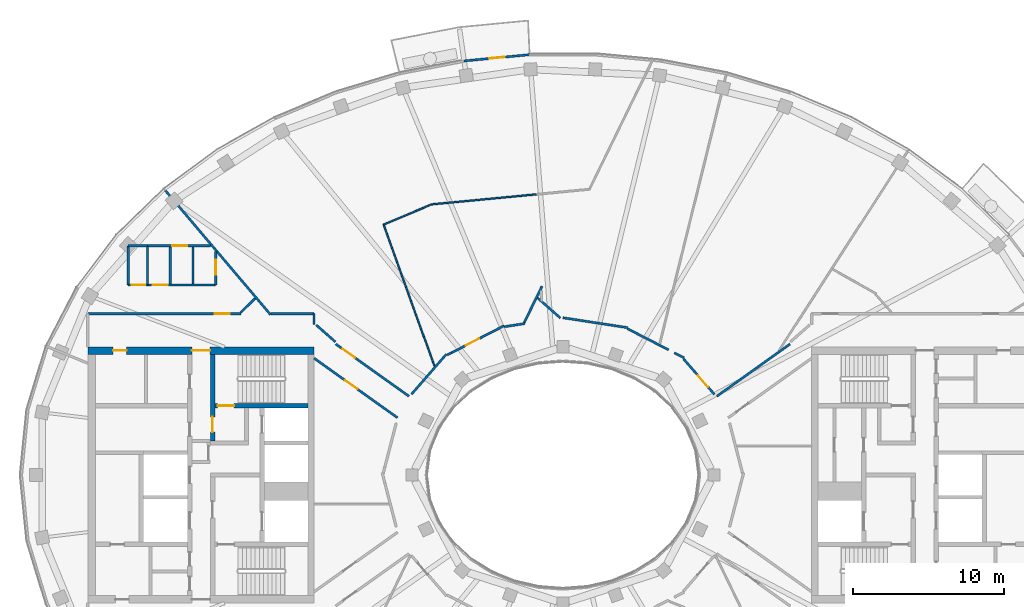
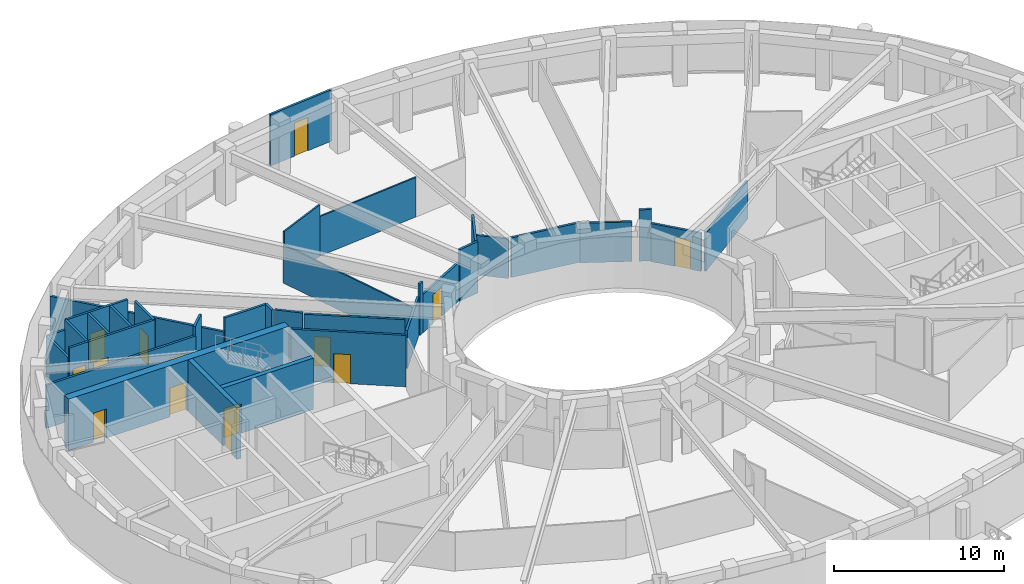
# One storey, part 9 of 20: 35 walls, 14 doors, 14 openings.
"""IFC4 building model written with IfcOpenShell, lengths in metres."""

import ifcopenshell
import ifcopenshell.guid

model = None  # the IFC model being written
_history = None  # IfcOwnerHistory: only IFC2X3 demands one
_inside = {}  # id of a spatial element -> (the spatial element, [elements in it])
_under = {}  # id of a project, library or spatial element -> (it, [spatial elements below it])
_declared = {}  # id of a project -> (the project, [libraries it declares])
_typed = {}  # id of a type object -> (the type object, [elements of that type])
_made_of = {}  # id of a material, layer set ... -> (it, [elements and type objects made of it])


def new_model(schema):
    """Start an empty IFC model of exactly this schema.

    Asked for "IFC4X3", IfcOpenShell would pick the latest addendum, in which some entities
    have other attributes; the version numbers below select the first issue.
    IFC2X3 requires an IfcOwnerHistory on every rooted entity: one is made here for all.
    """
    global model, _history
    if schema == "IFC4X3":
        model = ifcopenshell.file(schema_version=(4, 3, 0, 0))
    else:
        model = ifcopenshell.file(schema=schema)
    _inside.clear()
    _under.clear()
    _declared.clear()
    _typed.clear()
    _made_of.clear()
    _history = None
    if model.schema == "IFC2X3":
        org = make("IfcOrganization", Name="unknown")
        user = make(
            "IfcPersonAndOrganization",
            ThePerson=make("IfcPerson", FamilyName="unknown"),
            TheOrganization=org,
        )
        app = make(
            "IfcApplication",
            ApplicationDeveloper=org,
            Version="unknown",
            ApplicationFullName="unknown",
            ApplicationIdentifier="unknown",
        )
        _history = make(
            "IfcOwnerHistory",
            OwningUser=user,
            OwningApplication=app,
            ChangeAction="ADDED",
            CreationDate=0,
        )
    return model


def make(cls, **values):
    """One entity of the class cls with the attributes given. An attribute that is None is left unset."""
    return model.create_entity(
        cls, **{name: value for name, value in values.items() if value is not None}
    )


def rooted(cls, **values):
    """An entity with a GlobalId (a new one), such as an element, a storey or a relation."""
    return make(cls, GlobalId=ifcopenshell.guid.new(), OwnerHistory=_history, **values)


def si_unit(unit_type, name, prefix=None):
    """IfcSIUnit, for example si_unit("LENGTHUNIT", "METRE", prefix="MILLI")."""
    return make("IfcSIUnit", UnitType=unit_type, Prefix=prefix, Name=name)


def assignment(units):
    """IfcUnitAssignment: the units of a project."""
    return None if units is None else make("IfcUnitAssignment", Units=units)


def point(xyz):
    """IfcCartesianPoint."""
    return None if xyz is None else make("IfcCartesianPoint", Coordinates=xyz)


def direction(xyz):
    """IfcDirection."""
    return None if xyz is None else make("IfcDirection", DirectionRatios=xyz)


def frame(location, z_axis=None, x_axis=None):
    """IfcAxis2Placement3D, a coordinate frame: its origin and axes. An axis left out is left unset."""
    return make(
        "IfcAxis2Placement3D",
        Location=point(location),
        Axis=direction(z_axis),
        RefDirection=direction(x_axis),
    )


def frame_2d(location, x_axis=None):
    """IfcAxis2Placement2D, a coordinate frame in the plane: its origin and x axis."""
    return make(
        "IfcAxis2Placement2D", Location=point(location), RefDirection=direction(x_axis)
    )


def origin():
    """The frame at (0, 0, 0) with its axes left unset."""
    return frame((0.0, 0.0, 0.0))


def place(relative_to, where):
    """IfcLocalPlacement: puts the frame where relative to a parent placement (None: the world)."""
    return make(
        "IfcLocalPlacement", PlacementRelTo=relative_to, RelativePlacement=where
    )


def context(
    kind, dimensions, precision=None, world=None, true_north=None, identifier=None
):
    """IfcGeometricRepresentationContext, for example the 3D "Model" context."""
    return make(
        "IfcGeometricRepresentationContext",
        ContextIdentifier=identifier,
        ContextType=kind,
        CoordinateSpaceDimension=dimensions,
        Precision=precision,
        WorldCoordinateSystem=world,
        TrueNorth=true_north,
    )


def subcontext(parent, identifier, kind, view, scale=None):
    """IfcGeometricRepresentationSubContext, for example "Body" below "Model"."""
    return make(
        "IfcGeometricRepresentationSubContext",
        ContextIdentifier=identifier,
        ContextType=kind,
        ParentContext=parent,
        TargetScale=scale,
        TargetView=view,
    )


def project(units=None, contexts=None):
    """IfcProject with its units and contexts."""
    return rooted(
        "IfcProject",
        Name="project",
        RepresentationContexts=contexts,
        UnitsInContext=assignment(units),
    )


def spatial(cls, under=None, at=None, **own):
    """A site, building, storey or space (cls), placed at a placement, below another one or the project."""
    s = rooted(cls, ObjectPlacement=at, **own)
    if under is not None:
        _under.setdefault(under.id(), (under, []))[1].append(s)
    return s


def profile(cls, at=None, kind="AREA", **sizes):
    """A parametric profile (cls). Its sizes go by their IFC names, for example OverallWidth=200.0."""
    return make(cls, ProfileType=kind, Position=at, **sizes)


def rectangle(**sizes):
    """IfcRectangleProfileDef."""
    return profile("IfcRectangleProfileDef", **sizes)


def extrude(swept, where, along, depth):
    """IfcExtrudedAreaSolid: the profile swept, set in the frame where, extruded along a direction by depth."""
    return make(
        "IfcExtrudedAreaSolid",
        SweptArea=swept,
        Position=where,
        ExtrudedDirection=direction(along),
        Depth=depth,
    )


def shape(context_of_items, identifier, shape_type, items):
    """IfcShapeRepresentation: the items that make up one representation, for example the "Body"."""
    return make(
        "IfcShapeRepresentation",
        ContextOfItems=context_of_items,
        RepresentationIdentifier=identifier,
        RepresentationType=shape_type,
        Items=items,
    )


def material(Name=None, Category=None):
    """IfcMaterial."""
    return make("IfcMaterial", Name=Name, Category=Category)


def layer(
    of_material, thickness, ventilated=None, Name=None, Category=None, Priority=None
):
    """IfcMaterialLayer: one layer of a wall or slab, of a material (None: an air gap)."""
    return make(
        "IfcMaterialLayer",
        Material=of_material,
        LayerThickness=thickness,
        IsVentilated=ventilated,
        Name=Name,
        Category=Category,
        Priority=Priority,
    )


def layer_set(layers, Name=None):
    """IfcMaterialLayerSet."""
    return make("IfcMaterialLayerSet", MaterialLayers=layers, LayerSetName=Name)


def made_of(thing, what):
    """Note that an element or type object is made of a material, layer set ...; save() writes the relation."""
    if what is not None:
        _made_of.setdefault(what.id(), (what, []))[1].append(thing)
    return thing


def type_object(cls, material=None, **own):
    """A type object (cls), such as IfcWallType, which elements share."""
    return made_of(rooted(cls, **own), material)


def element(
    cls,
    number,
    at=None,
    inside=None,
    cuts=None,
    type_object=None,
    material=None,
    context=None,
    identifier="Body",
    shape_type=None,
    held_by="IfcProductDefinitionShape",
    body=None,
    shapes=None,
    **own,
):
    """One element of the class cls, such as IfcWall. Its Tag is "e" and its number.

    at: its placement. inside: the storey or other place that contains it. cuts: it is an
    opening in that element (IfcRelVoidsElement). A single representation is given by context,
    identifier, shape_type and body (its items); several are given by shapes. held_by: the class
    of the entity that holds the representations. save() writes the other relations.
    """
    e = rooted(cls, Tag="e%d" % number, ObjectPlacement=at, **own)
    if body is not None:
        shapes = [shape(context, identifier, shape_type, body)]
    if shapes is not None:
        e.Representation = make(held_by, Representations=shapes)
    if inside is not None:
        _inside.setdefault(inside.id(), (inside, []))[1].append(e)
    if cuts is not None:
        rooted(
            "IfcRelVoidsElement", RelatingBuildingElement=cuts, RelatedOpeningElement=e
        )
    if type_object is not None:
        _typed.setdefault(type_object.id(), (type_object, []))[1].append(e)
    return made_of(e, material)


def fill(opening, filler):
    """IfcRelFillsElement: the door or window that sits in an opening."""
    return rooted(
        "IfcRelFillsElement",
        RelatingOpeningElement=opening,
        RelatedBuildingElement=filler,
    )


def aggregate(whole, parts):
    """IfcRelAggregates: a whole, such as a stair, and the parts it consists of."""
    return rooted("IfcRelAggregates", RelatingObject=whole, RelatedObjects=parts)


def save(model, path):
    """Write the relations noted so far, then the file.

    IfcRelAggregates (storeys below a building ...), IfcRelContainedInSpatialStructure (elements
    in a storey), IfcRelDefinesByType, IfcRelAssociatesMaterial and IfcRelDeclares: one each for
    every whole, place, type object, material and project.
    """
    for whole, parts in _under.values():
        aggregate(whole, parts)
    for where, things in _inside.values():
        rooted(
            "IfcRelContainedInSpatialStructure",
            RelatedElements=things,
            RelatingStructure=where,
        )
    for kind, things in _typed.values():
        rooted("IfcRelDefinesByType", RelatedObjects=things, RelatingType=kind)
    for what, things in _made_of.values():
        rooted("IfcRelAssociatesMaterial", RelatedObjects=things, RelatingMaterial=what)
    for by, libraries in _declared.values():
        rooted("IfcRelDeclares", RelatingContext=by, RelatedDefinitions=libraries)
    model.write(path)


model = new_model("IFC4")

# Units and contexts
model_context = context("Model", 3, precision=1e-05, world=origin(), true_north=direction((0.0, 1.0)))
body_context = subcontext(model_context, "Body", "Model", "MODEL_VIEW")
ifc_project = project(units=[si_unit("LENGTHUNIT", "METRE"), si_unit("AREAUNIT", "SQUARE_METRE"), si_unit("VOLUMEUNIT", "CUBIC_METRE"), si_unit("PLANEANGLEUNIT", "RADIAN"), si_unit("MASSUNIT", "GRAM", prefix="KILO")], contexts=[model_context])

# Site, building, storey
site_placement = place(None, origin())
site = spatial("IfcSite", under=ifc_project, at=site_placement, CompositionType="ELEMENT")
building_placement = place(site_placement, origin())
building = spatial("IfcBuilding", under=site, at=building_placement, Name="Noorbagh Ring Tower", CompositionType="ELEMENT")
storey_placement = place(building_placement, frame((0.0, 0.0, 323.0)))
storey = spatial("IfcBuildingStorey", under=building, at=storey_placement, Name="L70", CompositionType="ELEMENT", Elevation=323.0)

# Wall
ifc_material_1 = material(Name="Gypsum board on steel studs", Category="steel")
ifc_layer_1 = layer(ifc_material_1, 0.14990234375)
ifc_layer_set_1 = layer_set([ifc_layer_1], Name="Gypsum board on steel studs")
wall_type_1 = type_object("IfcWallType", Name="COMPARTMENT PARTITION 150 EI 60", PredefinedType="PARTITIONING", material=ifc_layer_set_1)
wall_1_placement = place(storey_placement, frame((-28.826904296875, 12.60009765625, 0.0), z_axis=(0.0, 0.0, 1.0), x_axis=(0.0, 1.0, 0.0)))
element("IfcWall", 1, at=wall_1_placement, inside=storey, type_object=wall_type_1, Name="L70/wall/P06", PredefinedType="PARTITIONING", context=body_context, shape_type="SweptSolid", body=[
    extrude(rectangle(XDim=2.595947265625, YDim=0.14990234375, at=frame_2d((1.2978515625, 0.0))), origin(), (0.0, 0.0, 1.0), 3.0),
])

# Wall, opening, door
wall_2_placement = place(storey_placement, frame((-28.826904296875, 12.60009765625, 0.0), z_axis=(0.0, 0.0, 1.0), x_axis=(1.0, 0.0, 0.0)))
wall_2 = element("IfcWall", 2, at=wall_2_placement, inside=storey, type_object=wall_type_1, Name="L70/wall/P07", PredefinedType="PARTITIONING", context=body_context, shape_type="SweptSolid", body=[
    extrude(rectangle(XDim=1.27587890625, YDim=0.14990234375, at=frame_2d((0.637939453125, 0.0))), origin(), (0.0, 0.0, 1.0), 3.699951171875),
])
opening_1_placement = place(wall_2_placement, frame((0.22607421875, 0.0, 0.0)))
opening_1 = element("IfcOpeningElement", 3, at=opening_1_placement, cuts=wall_2, Name="Opening D4", PredefinedType="OPENING", context=body_context, shape_type="SweptSolid", body=[
    extrude(rectangle(XDim=0.89990234375, YDim=2.10009765625, at=frame_2d((0.449951171875, 1.050048828125))), frame((0.0, 0.0849609375, 0.0), z_axis=(0.0, -1.0, 0.0), x_axis=(1.0, 0.0, 0.0)), (0.0, 0.0, 1.0), 0.169921875),
])
ifc_material_2 = material(Name="Timber, painted", Category="wood")
door_type_1 = type_object("IfcDoorType", Name="DOOR 900 X 2100 FD60", OperationType="SINGLE_SWING_LEFT", PredefinedType="DOOR", material=ifc_material_2)
door_1_placement = place(opening_1_placement, origin())
door_1 = element("IfcDoor", 4, at=door_1_placement, inside=storey, type_object=door_type_1, Name="L70-D05", OperationType="SINGLE_SWING_LEFT", OverallHeight=2.10009765625, OverallWidth=0.89990234375, PredefinedType="DOOR", context=body_context, shape_type="SweptSolid", body=[
    extrude(rectangle(XDim=0.89990234375, YDim=2.10009765625, at=frame_2d((0.449951171875, 1.050048828125))), frame((0.0, 0.02490234375, 0.0), z_axis=(0.0, -1.0, 0.0), x_axis=(1.0, 0.0, 0.0)), (0.0, 0.0, 1.0), 0.050048828125),
])
fill(opening_1, door_1)

# Walls
wall_3_placement = place(storey_placement, frame((-28.822998046875, 15.199951171875, 0.0), z_axis=(0.0, 0.0, 1.0), x_axis=(1.0, 0.0, 0.0)))
element("IfcWall", 5, at=wall_3_placement, inside=storey, type_object=wall_type_1, Name="L70/wall/P08", PredefinedType="PARTITIONING", context=body_context, shape_type="SweptSolid", body=[
    extrude(rectangle(XDim=1.27197265625, YDim=0.14990234375, at=frame_2d((0.635986328125, 0.0))), origin(), (0.0, 0.0, 1.0), 3.0),
])
wall_4_placement = place(storey_placement, frame((-27.551025390625, 12.60009765625, 0.0), z_axis=(0.0, 0.0, 1.0), x_axis=(0.0, 1.0, 0.0)))
element("IfcWall", 6, at=wall_4_placement, inside=storey, type_object=wall_type_1, Name="L70/wall/P09", PredefinedType="PARTITIONING", context=body_context, shape_type="SweptSolid", body=[
    extrude(rectangle(XDim=2.599853515625, YDim=0.14990234375, at=frame_2d((1.2998046875, 0.0))), origin(), (0.0, 0.0, 1.0), 3.699951171875),
])

# Wall, opening, door
ifc_material_3 = material(Name="Concrete C50/60", Category="concrete")
ifc_layer_2 = layer(ifc_material_3, 0.300048828125)
ifc_layer_set_2 = layer_set([ifc_layer_2], Name="Concrete C50/60")
wall_type_2 = type_object("IfcWallType", Name="CORE-WALL-300-C50-60-EI240", PredefinedType="SHEAR", material=ifc_layer_set_2)
wall_5_placement = place(storey_placement, frame((-23.22998046875, 2.25, 0.0), z_axis=(0.0, 0.0, 1.0), x_axis=(0.0, 1.0, 0.0)))
wall_5 = element("IfcWall", 7, at=wall_5_placement, inside=storey, type_object=wall_type_2, Name="Core wall W", PredefinedType="SHEAR", context=body_context, shape_type="SweptSolid", body=[
    extrude(rectangle(XDim=5.75, YDim=0.300048828125, at=frame_2d((2.875, 0.0))), origin(), (0.0, 0.0, 1.0), 3.699951171875),
])
opening_2_placement = place(wall_5_placement, frame((0.60009765625, 0.0, 0.0)))
opening_2 = element("IfcOpeningElement", 8, at=opening_2_placement, cuts=wall_5, Name="Opening L70-CW08", PredefinedType="OPENING", context=body_context, shape_type="SweptSolid", body=[
    extrude(rectangle(XDim=1.0, YDim=2.10009765625, at=frame_2d((0.5, 1.050048828125))), frame((0.0, 0.16015625, 0.0), z_axis=(0.0, -1.0, 0.0), x_axis=(1.0, 0.0, 0.0)), (0.0, 0.0, 1.0), 0.320068359375),
])
ifc_material_4 = material(Name="Steel door leaf", Category="steel")
door_type_2 = type_object("IfcDoorType", Name="CORE-DOOR-DVEST", OperationType="SINGLE_SWING_LEFT", PredefinedType="DOOR", material=ifc_material_4)
door_2_placement = place(opening_2_placement, origin())
door_2 = element("IfcDoor", 9, at=door_2_placement, inside=storey, type_object=door_type_2, Name="Stair vestibule door L70-CW08", OperationType="SINGLE_SWING_LEFT", OverallHeight=2.10009765625, OverallWidth=1.0, PredefinedType="DOOR", context=body_context, shape_type="SweptSolid", body=[
    extrude(rectangle(XDim=1.0, YDim=2.10009765625, at=frame_2d((0.5, 1.050048828125))), frame((0.0, 0.02490234375, 0.0), z_axis=(0.0, -1.0, 0.0), x_axis=(1.0, 0.0, 0.0)), (0.0, 0.0, 1.0), 0.050048828125),
])
fill(opening_2, door_2)

wall_6_placement = place(storey_placement, frame((-16.89990234375, 4.60009765625, 0.0), z_axis=(0.0, 0.0, 1.0), x_axis=(-1.0, 0.0, 0.0)))
wall_6 = element("IfcWall", 10, at=wall_6_placement, inside=storey, type_object=wall_type_2, Name="Core wall W", PredefinedType="SHEAR", context=body_context, shape_type="SweptSolid", body=[
    extrude(rectangle(XDim=6.18017578125, YDim=0.300048828125, at=frame_2d((3.090087890625, 0.0))), origin(), (0.0, 0.0, 1.0), 3.699951171875),
])
opening_3_placement = place(wall_6_placement, frame((4.89990234375, 0.0, 0.0)))
opening_3 = element("IfcOpeningElement", 11, at=opening_3_placement, cuts=wall_6, Name="Opening L70-CW05", PredefinedType="OPENING", context=body_context, shape_type="SweptSolid", body=[
    extrude(rectangle(XDim=1.10009765625, YDim=2.10009765625, at=frame_2d((0.550048828125, 1.050048828125))), frame((0.0, 0.16015625, 0.0), z_axis=(0.0, -1.0, 0.0), x_axis=(1.0, 0.0, 0.0)), (0.0, 0.0, 1.0), 0.320068359375),
])
ifc_material_5 = material(Name="Steel door leaf", Category="steel")
door_type_3 = type_object("IfcDoorType", Name="CORE-DOOR-DSTAIR", OperationType="SINGLE_SWING_LEFT", PredefinedType="DOOR", material=ifc_material_5)
door_3_placement = place(opening_3_placement, origin())
door_3 = element("IfcDoor", 12, at=door_3_placement, inside=storey, type_object=door_type_3, Name="Stair door ST1 L70-CW05", OperationType="SINGLE_SWING_RIGHT", OverallHeight=2.10009765625, OverallWidth=1.10009765625, PredefinedType="DOOR", context=body_context, shape_type="SweptSolid", body=[
    extrude(rectangle(XDim=1.10009765625, YDim=2.10009765625, at=frame_2d((0.550048828125, 1.050048828125))), frame((0.0, 0.02490234375, 0.0), z_axis=(0.0, -1.0, 0.0), x_axis=(1.0, 0.0, 0.0)), (0.0, 0.0, 1.0), 0.050048828125),
])
fill(opening_3, door_3)

# Wall, openings, doors
ifc_material_6 = material(Name="Concrete C50/60", Category="concrete")
ifc_layer_3 = layer(ifc_material_6, 0.5)
ifc_layer_set_3 = layer_set([ifc_layer_3], Name="Concrete C50/60")
wall_type_3 = type_object("IfcWallType", Name="CORE-WALL-500-C50-60-EI240", PredefinedType="SHEAR", material=ifc_layer_set_3)
wall_7_placement = place(storey_placement, frame((-16.5, 8.25, 0.0), z_axis=(0.0, 0.0, 1.0), x_axis=(-1.0, 0.0, 0.0)))
wall_7 = element("IfcWall", 13, at=wall_7_placement, inside=storey, type_object=wall_type_3, Name="Core wall W", PredefinedType="SHEAR", context=body_context, shape_type="SweptSolid", body=[
    extrude(rectangle(XDim=15.0, YDim=0.5, at=frame_2d((7.5, 0.0))), origin(), (0.0, 0.0, 1.0), 3.699951171875),
])
opening_4_placement = place(wall_7_placement, frame((6.89990234375, 0.0, 0.0)))
opening_4 = element("IfcOpeningElement", 14, at=opening_4_placement, cuts=wall_7, Name="Opening L70-CW09", PredefinedType="OPENING", context=body_context, shape_type="SweptSolid", body=[
    extrude(rectangle(XDim=1.199951171875, YDim=2.10009765625, at=frame_2d((0.60009765625, 1.050048828125))), frame((0.0, 0.260009765625, 0.0), z_axis=(0.0, -1.0, 0.0), x_axis=(1.0, 0.0, 0.0)), (0.0, 0.0, 1.0), 0.52001953125),
])
opening_5_placement = place(wall_7_placement, frame((12.425048828125, 0.0, 0.0)))
opening_5 = element("IfcOpeningElement", 15, at=opening_5_placement, cuts=wall_7, Name="Opening L70-CW13", PredefinedType="OPENING", context=body_context, shape_type="SweptSolid", body=[
    extrude(rectangle(XDim=0.89990234375, YDim=2.10009765625, at=frame_2d((0.449951171875, 1.050048828125))), frame((0.0, 0.260009765625, 0.0), z_axis=(0.0, -1.0, 0.0), x_axis=(1.0, 0.0, 0.0)), (0.0, 0.0, 1.0), 0.52001953125),
])
ifc_material_7 = material(Name="Steel door leaf", Category="steel")
door_type_4 = type_object("IfcDoorType", Name="CORE-DOOR-DROOM", OperationType="SINGLE_SWING_LEFT", PredefinedType="DOOR", material=ifc_material_7)
door_4_placement = place(opening_5_placement, origin())
door_4 = element("IfcDoor", 16, at=door_4_placement, inside=storey, type_object=door_type_4, Name="Core room door L70-CW13", OperationType="SINGLE_SWING_RIGHT", OverallHeight=2.10009765625, OverallWidth=0.89990234375, PredefinedType="DOOR", context=body_context, shape_type="SweptSolid", body=[
    extrude(rectangle(XDim=0.89990234375, YDim=2.10009765625, at=frame_2d((0.449951171875, 1.050048828125))), frame((0.0, 0.02490234375, 0.0), z_axis=(0.0, -1.0, 0.0), x_axis=(1.0, 0.0, 0.0)), (0.0, 0.0, 1.0), 0.050048828125),
])
fill(opening_5, door_4)
ifc_material_8 = material(Name="Steel door leaf", Category="steel")
door_type_5 = type_object("IfcDoorType", Name="CORE-DOOR-PORT", OperationType="DOUBLE_DOOR_DOUBLE_SWING", PredefinedType="DOOR", material=ifc_material_8)
door_5_placement = place(opening_4_placement, origin())
door_5 = element("IfcDoor", 17, at=door_5_placement, inside=storey, type_object=door_type_5, Name="Core entrance door L70-CW09", OperationType="DOUBLE_DOOR_DOUBLE_SWING", OverallHeight=2.10009765625, OverallWidth=1.199951171875, PredefinedType="DOOR", context=body_context, shape_type="SweptSolid", body=[
    extrude(rectangle(XDim=1.199951171875, YDim=2.10009765625, at=frame_2d((0.60009765625, 1.050048828125))), frame((0.0, 0.02490234375, 0.0), z_axis=(0.0, -1.0, 0.0), x_axis=(1.0, 0.0, 0.0)), (0.0, 0.0, 1.0), 0.050048828125),
])
fill(opening_4, door_5)

# Wall, opening, door
ifc_material_9 = material(Name="Gypsum board on steel studs", Category="steel")
ifc_layer_4 = layer(ifc_material_9, 0.14990234375)
ifc_layer_set_4 = layer_set([ifc_layer_4], Name="Gypsum board on steel studs")
wall_type_4 = type_object("IfcWallType", Name="CORRIDOR PARTITION 150 EI 30", PredefinedType="PARTITIONING", material=ifc_layer_set_4)
wall_8_placement = place(storey_placement, frame((-31.5, 10.699951171875, 0.0), z_axis=(0.0, 0.0, 1.0), x_axis=(1.0, 0.0, 0.0)))
wall_8 = element("IfcWall", 18, at=wall_8_placement, inside=storey, type_object=wall_type_4, Name="L70/wall/P05", PredefinedType="PARTITIONING", context=body_context, shape_type="SweptSolid", body=[
    extrude(rectangle(XDim=10.166015625, YDim=0.14990234375, at=frame_2d((5.0830078125, 0.0))), origin(), (0.0, 0.0, 1.0), 3.10009765625),
])
opening_6_placement = place(wall_8_placement, frame((8.407958984375, 0.0, 0.0)))
opening_6 = element("IfcOpeningElement", 19, at=opening_6_placement, cuts=wall_8, Name="Opening D1", PredefinedType="OPENING", context=body_context, shape_type="SweptSolid", body=[
    extrude(rectangle(XDim=1.0, YDim=2.10009765625, at=frame_2d((0.5, 1.050048828125))), frame((0.0, 0.0849609375, 0.0), z_axis=(0.0, -1.0, 0.0), x_axis=(1.0, 0.0, 0.0)), (0.0, 0.0, 1.0), 0.169921875),
])
ifc_material_10 = material(Name="Timber, painted", Category="wood")
door_type_6 = type_object("IfcDoorType", Name="DOOR 1000 X 2100 FD30", OperationType="SINGLE_SWING_LEFT", PredefinedType="DOOR", material=ifc_material_10)
door_6_placement = place(opening_6_placement, origin())
door_6 = element("IfcDoor", 20, at=door_6_placement, inside=storey, type_object=door_type_6, Name="L70-D01", OperationType="SINGLE_SWING_LEFT", OverallHeight=2.10009765625, OverallWidth=1.0, PredefinedType="DOOR", context=body_context, shape_type="SweptSolid", body=[
    extrude(rectangle(XDim=1.0, YDim=2.10009765625, at=frame_2d((0.5, 1.050048828125))), frame((0.0, 0.02490234375, 0.0), z_axis=(0.0, -1.0, 0.0), x_axis=(1.0, 0.0, 0.0)), (0.0, 0.0, 1.0), 0.050048828125),
])
fill(opening_6, door_6)

wall_9_placement = place(storey_placement, frame((-27.551025390625, 12.60009765625, 0.0), z_axis=(0.0, 0.0, 1.0), x_axis=(1.0, 0.0, 0.0)))
wall_9 = element("IfcWall", 21, at=wall_9_placement, inside=storey, type_object=wall_type_4, Name="L70/wall/P10", PredefinedType="PARTITIONING", context=body_context, shape_type="SweptSolid", body=[
    extrude(rectangle(XDim=4.52392578125, YDim=0.14990234375, at=frame_2d((2.261962890625, 0.0))), origin(), (0.0, 0.0, 1.0), 3.699951171875),
])
opening_7_placement = place(wall_9_placement, frame((0.35791015625, 0.0, 0.0)))
opening_7 = element("IfcOpeningElement", 22, at=opening_7_placement, cuts=wall_9, Name="Opening D3", PredefinedType="OPENING", context=body_context, shape_type="SweptSolid", body=[
    extrude(rectangle(XDim=1.0, YDim=2.10009765625, at=frame_2d((0.5, 1.050048828125))), frame((0.0, 0.0849609375, 0.0), z_axis=(0.0, -1.0, 0.0), x_axis=(1.0, 0.0, 0.0)), (0.0, 0.0, 1.0), 0.169921875),
])
ifc_material_11 = material(Name="Timber, painted", Category="wood")
door_type_7 = type_object("IfcDoorType", Name="DOOR 1000 X 2100 WC", OperationType="SINGLE_SWING_LEFT", PredefinedType="DOOR", material=ifc_material_11)
door_7_placement = place(opening_7_placement, origin())
door_7 = element("IfcDoor", 23, at=door_7_placement, inside=storey, type_object=door_type_7, Name="L70-D04", OperationType="SINGLE_SWING_RIGHT", OverallHeight=2.10009765625, OverallWidth=1.0, PredefinedType="DOOR", context=body_context, shape_type="SweptSolid", body=[
    extrude(rectangle(XDim=1.0, YDim=2.10009765625, at=frame_2d((0.5, 1.050048828125))), frame((0.0, 0.02490234375, 0.0), z_axis=(0.0, -1.0, 0.0), x_axis=(1.0, 0.0, 0.0)), (0.0, 0.0, 1.0), 0.050048828125),
])
fill(opening_7, door_7)

wall_10_placement = place(storey_placement, frame((-27.551025390625, 15.199951171875, 0.0), z_axis=(0.0, 0.0, 1.0), x_axis=(1.0, 0.0, 0.0)))
wall_10 = element("IfcWall", 24, at=wall_10_placement, inside=storey, type_object=wall_type_4, Name="L70/wall/P11", PredefinedType="PARTITIONING", context=body_context, shape_type="SweptSolid", body=[
    extrude(rectangle(XDim=4.192138671875, YDim=0.14990234375, at=frame_2d((2.09619140625, 0.0))), origin(), (0.0, 0.0, 1.0), 3.699951171875),
])
opening_8_placement = place(wall_10_placement, frame((1.657958984375, 0.0, 0.0)))
opening_8 = element("IfcOpeningElement", 25, at=opening_8_placement, cuts=wall_10, Name="Opening D3", PredefinedType="OPENING", context=body_context, shape_type="SweptSolid", body=[
    extrude(rectangle(XDim=1.0, YDim=2.10009765625, at=frame_2d((0.5, 1.050048828125))), frame((0.0, 0.0849609375, 0.0), z_axis=(0.0, -1.0, 0.0), x_axis=(1.0, 0.0, 0.0)), (0.0, 0.0, 1.0), 0.169921875),
])
door_8_placement = place(opening_8_placement, origin())
door_8 = element("IfcDoor", 26, at=door_8_placement, inside=storey, type_object=door_type_7, Name="L70-D03", OperationType="SINGLE_SWING_LEFT", OverallHeight=2.10009765625, OverallWidth=1.0, PredefinedType="DOOR", context=body_context, shape_type="SweptSolid", body=[
    extrude(rectangle(XDim=1.0, YDim=2.10009765625, at=frame_2d((0.5, 1.050048828125))), frame((0.0, 0.02490234375, 0.0), z_axis=(0.0, -1.0, 0.0), x_axis=(1.0, 0.0, 0.0)), (0.0, 0.0, 1.0), 0.050048828125),
])
fill(opening_8, door_8)

# Walls
wall_11_placement = place(storey_placement, frame((-26.428955078125, 18.946044921875, 0.0), z_axis=(0.0, 0.0, 1.0), x_axis=(0.646342728412, -0.763047231453, 0.0)))
element("IfcWall", 27, at=wall_11_placement, inside=storey, type_object=wall_type_4, Name="L70/wall/P12", PredefinedType="PARTITIONING", context=body_context, shape_type="SweptSolid", body=[
    extrude(rectangle(XDim=10.901123046875, YDim=0.14990234375, at=frame_2d((5.45068359375, 0.0))), origin(), (0.0, 0.0, 1.0), 2.75),
])
for number, where, z_axis, x_axis, name in (
    (28, (-26.04296875, 12.675048828125, 0.0), (0.0, 0.0, 1.0), (0.0, 1.0, 0.0), "L70/wall/P13"),
    (29, (-24.534912109375, 12.675048828125, 0.0), (0.0, 0.0, 1.0), (0.0, 1.0, 0.0), "L70/wall/P14"),
):
    element("IfcWall", number, at=place(storey_placement, frame(where, z_axis=z_axis, x_axis=x_axis)), inside=storey, type_object=wall_type_4, Name=name, PredefinedType="PARTITIONING", context=body_context, shape_type="SweptSolid", body=[
        extrude(rectangle(XDim=2.449951171875, YDim=0.14990234375, at=frame_2d((1.22509765625, 0.0))), origin(), (0.0, 0.0, 1.0), 3.699951171875),
    ])

# Wall, opening, door
wall_12_placement = place(storey_placement, frame((-23.027099609375, 12.60009765625, 0.0), z_axis=(0.0, 0.0, 1.0), x_axis=(0.0, 1.0, 0.0)))
wall_12 = element("IfcWall", 30, at=wall_12_placement, inside=storey, type_object=wall_type_4, Name="L70/wall/P15", PredefinedType="PARTITIONING", context=body_context, shape_type="SweptSolid", body=[
    extrude(rectangle(XDim=2.208984375, YDim=0.14990234375, at=frame_2d((1.1044921875, 0.0))), origin(), (0.0, 0.0, 1.0), 3.699951171875),
])
opening_9_placement = place(wall_12_placement, frame((0.675048828125, 0.0, 0.0)))
opening_9 = element("IfcOpeningElement", 31, at=opening_9_placement, cuts=wall_12, Name="Opening D3", PredefinedType="OPENING", context=body_context, shape_type="SweptSolid", body=[
    extrude(rectangle(XDim=1.0, YDim=2.10009765625, at=frame_2d((0.5, 1.050048828125))), frame((0.0, 0.0849609375, 0.0), z_axis=(0.0, -1.0, 0.0), x_axis=(1.0, 0.0, 0.0)), (0.0, 0.0, 1.0), 0.169921875),
])
door_9_placement = place(opening_9_placement, origin())
door_9 = element("IfcDoor", 32, at=door_9_placement, inside=storey, type_object=door_type_7, Name="L70-D02", OperationType="SINGLE_SWING_RIGHT", OverallHeight=2.10009765625, OverallWidth=1.0, PredefinedType="DOOR", context=body_context, shape_type="SweptSolid", body=[
    extrude(rectangle(XDim=1.0, YDim=2.10009765625, at=frame_2d((0.5, 1.050048828125))), frame((0.0, 0.02490234375, 0.0), z_axis=(0.0, -1.0, 0.0), x_axis=(1.0, 0.0, 0.0)), (0.0, 0.0, 1.0), 0.050048828125),
])
fill(opening_9, door_9)

# Walls
wall_13_placement = place(storey_placement, frame((-21.362060546875, 10.778076171875, 0.0), z_axis=(0.0, 0.0, 1.0), x_axis=(0.716871037277, 0.697205791652, 0.0)))
element("IfcWall", 33, at=wall_13_placement, inside=storey, type_object=wall_type_4, Name="L70/wall/P17", PredefinedType="PARTITIONING", context=body_context, shape_type="SweptSolid", body=[
    extrude(rectangle(XDim=1.3408203125, YDim=0.14990234375, at=frame_2d((0.67041015625, 0.0))), origin(), (0.0, 0.0, 1.0), 3.699951171875),
])
wall_14_placement = place(storey_placement, frame((-19.346923828125, 10.699951171875, 0.0), z_axis=(0.0, 0.0, 1.0), x_axis=(1.0, 0.0, 0.0)))
element("IfcWall", 34, at=wall_14_placement, inside=storey, type_object=wall_type_4, Name="L70/wall/P18", PredefinedType="PARTITIONING", context=body_context, shape_type="SweptSolid", body=[
    extrude(rectangle(XDim=2.846923828125, YDim=0.14990234375, at=frame_2d((1.42333984375, 0.0))), origin(), (0.0, 0.0, 1.0), 3.699951171875),
])
wall_15_placement = place(storey_placement, frame((-16.5, 9.964111328125, 0.0), z_axis=(0.0, 0.0, 1.0), x_axis=(0.0, 1.0, 0.0)))
element("IfcWall", 35, at=wall_15_placement, inside=storey, type_object=wall_type_4, Name="L70/wall/P22", PredefinedType="PARTITIONING", context=body_context, shape_type="SweptSolid", body=[
    extrude(rectangle(XDim=0.73583984375, YDim=0.14990234375, at=frame_2d((0.367919921875, 0.0))), origin(), (0.0, 0.0, 1.0), 3.699951171875),
])

# Wall, opening, door
wall_16_placement = place(storey_placement, frame((-16.5, 7.743896484375, 0.0), z_axis=(0.0, 0.0, 1.0), x_axis=(0.814095150002, -0.580731510032, 0.0)))
wall_16 = element("IfcWall", 36, at=wall_16_placement, inside=storey, type_object=wall_type_4, Name="L70/wall/P24", PredefinedType="PARTITIONING", context=body_context, shape_type="SweptSolid", body=[
    extrude(rectangle(XDim=6.79296875, YDim=0.14990234375, at=frame_2d((3.396484375, 0.0))), origin(), (0.0, 0.0, 1.0), 3.699951171875),
])
opening_10_placement = place(wall_16_placement, frame((2.52587890625, 0.0, 0.0)))
opening_10 = element("IfcOpeningElement", 37, at=opening_10_placement, cuts=wall_16, Name="Opening D1", PredefinedType="OPENING", context=body_context, shape_type="SweptSolid", body=[
    extrude(rectangle(XDim=1.0, YDim=2.10009765625, at=frame_2d((0.5, 1.050048828125))), frame((0.0, 0.0849609375, 0.0), z_axis=(0.0, -1.0, 0.0), x_axis=(1.0, 0.0, 0.0)), (0.0, 0.0, 1.0), 0.169921875),
])
door_10_placement = place(opening_10_placement, origin())
door_10 = element("IfcDoor", 38, at=door_10_placement, inside=storey, type_object=door_type_6, Name="L70-D19", OperationType="SINGLE_SWING_LEFT", OverallHeight=2.10009765625, OverallWidth=1.0, PredefinedType="DOOR", context=body_context, shape_type="SweptSolid", body=[
    extrude(rectangle(XDim=1.0, YDim=2.10009765625, at=frame_2d((0.5, 1.050048828125))), frame((0.0, 0.02490234375, 0.0), z_axis=(0.0, -1.0, 0.0), x_axis=(1.0, 0.0, 0.0)), (0.0, 0.0, 1.0), 0.050048828125),
])
fill(opening_10, door_10)

wall_17_placement = place(storey_placement, frame((-15.06298828125, 8.68408203125, 0.0), z_axis=(0.0, 0.0, 1.0), x_axis=(0.814106730479, -0.580715275663, 0.0)))
wall_17 = element("IfcWall", 39, at=wall_17_placement, inside=storey, type_object=wall_type_4, Name="L70/wall/P26", PredefinedType="PARTITIONING", context=body_context, shape_type="SweptSolid", body=[
    extrude(rectangle(XDim=5.963623046875, YDim=0.14990234375, at=frame_2d((2.98193359375, 0.0))), origin(), (0.0, 0.0, 1.0), 3.699951171875),
])
opening_11_placement = place(wall_17_placement, frame((0.5634765625, 0.0, 0.0)))
opening_11 = element("IfcOpeningElement", 40, at=opening_11_placement, cuts=wall_17, Name="Opening D1", PredefinedType="OPENING", context=body_context, shape_type="SweptSolid", body=[
    extrude(rectangle(XDim=1.0, YDim=2.10009765625, at=frame_2d((0.5, 1.050048828125))), frame((0.0, 0.0849609375, 0.0), z_axis=(0.0, -1.0, 0.0), x_axis=(1.0, 0.0, 0.0)), (0.0, 0.0, 1.0), 0.169921875),
])
door_11_placement = place(opening_11_placement, origin())
door_11 = element("IfcDoor", 41, at=door_11_placement, inside=storey, type_object=door_type_6, Name="L70-D08", OperationType="SINGLE_SWING_RIGHT", OverallHeight=2.10009765625, OverallWidth=1.0, PredefinedType="DOOR", context=body_context, shape_type="SweptSolid", body=[
    extrude(rectangle(XDim=1.0, YDim=2.10009765625, at=frame_2d((0.5, 1.050048828125))), frame((0.0, 0.02490234375, 0.0), z_axis=(0.0, -1.0, 0.0), x_axis=(1.0, 0.0, 0.0)), (0.0, 0.0, 1.0), 0.050048828125),
])
fill(opening_11, door_11)

# Walls
wall_18_placement = place(storey_placement, frame((-10.04296875, 5.35107421875, 0.0), z_axis=(0.0, 0.0, 1.0), x_axis=(0.656624899746, 0.754217303589, 0.0)))
element("IfcWall", 42, at=wall_18_placement, inside=storey, type_object=wall_type_4, Name="L70/wall/P35", PredefinedType="PARTITIONING", context=body_context, shape_type="SweptSolid", body=[
    extrude(rectangle(XDim=3.534912109375, YDim=0.14990234375, at=frame_2d((1.767578125, 0.0))), origin(), (0.0, 0.0, 1.0), 2.75),
])
wall_19_placement = place(storey_placement, frame((-7.674072265625, 7.95703125, 0.0), z_axis=(0.0, 0.0, 1.0), x_axis=(0.888323550582, 0.459218106657, 0.0)))
element("IfcWall", 43, at=wall_19_placement, inside=storey, type_object=wall_type_4, Name="L70/wall/P39", PredefinedType="PARTITIONING", context=body_context, shape_type="SweptSolid", body=[
    extrude(rectangle(XDim=0.32421875, YDim=0.14990234375, at=frame_2d((0.162109375, 0.0))), origin(), (0.0, 0.0, 1.0), 3.699951171875),
])

# Wall, opening, door
wall_20_placement = place(storey_placement, frame((-7.389892578125, 8.10302734375, 0.0), z_axis=(0.0, 0.0, 1.0), x_axis=(0.889390271787, 0.457148711527, 0.0)))
wall_20 = element("IfcWall", 44, at=wall_20_placement, inside=storey, type_object=wall_type_4, Name="L70/wall/P41", PredefinedType="PARTITIONING", context=body_context, shape_type="SweptSolid", body=[
    extrude(rectangle(XDim=3.9306640625, YDim=0.14990234375, at=frame_2d((1.96533203125, 0.0))), origin(), (0.0, 0.0, 1.0), 2.75),
])
opening_12_placement = place(wall_20_placement, frame((1.066162109375, 0.0, 0.0)))
opening_12 = element("IfcOpeningElement", 45, at=opening_12_placement, cuts=wall_20, Name="Opening D1", PredefinedType="OPENING", context=body_context, shape_type="SweptSolid", body=[
    extrude(rectangle(XDim=1.0, YDim=2.10009765625, at=frame_2d((0.5, 1.050048828125))), frame((0.0, 0.0849609375, 0.0), z_axis=(0.0, -1.0, 0.0), x_axis=(1.0, 0.0, 0.0)), (0.0, 0.0, 1.0), 0.169921875),
])
door_12_placement = place(opening_12_placement, origin())
door_12 = element("IfcDoor", 46, at=door_12_placement, inside=storey, type_object=door_type_6, Name="L70-D10", OperationType="SINGLE_SWING_RIGHT", OverallHeight=2.10009765625, OverallWidth=1.0, PredefinedType="DOOR", context=body_context, shape_type="SweptSolid", body=[
    extrude(rectangle(XDim=1.0, YDim=2.10009765625, at=frame_2d((0.5, 1.050048828125))), frame((0.0, 0.02490234375, 0.0), z_axis=(0.0, -1.0, 0.0), x_axis=(1.0, 0.0, 0.0)), (0.0, 0.0, 1.0), 0.050048828125),
])
fill(opening_12, door_12)

# Walls
wall_21_placement = place(storey_placement, frame((-3.873046875, 9.8349609375, 0.0), z_axis=(0.0, 0.0, 1.0), x_axis=(0.988428721806, 0.15168606366, 0.0)))
element("IfcWall", 47, at=wall_21_placement, inside=storey, type_object=wall_type_4, Name="L70/wall/P42", PredefinedType="PARTITIONING", context=body_context, shape_type="SweptSolid", body=[
    extrude(rectangle(XDim=1.38427734375, YDim=0.14990234375, at=frame_2d((0.692138671875, 0.0))), origin(), (0.0, 0.0, 1.0), 3.699951171875),
])
wall_22_placement = place(storey_placement, frame((-2.56201171875, 10.112060546875, 0.0), z_axis=(0.0, 0.0, 1.0), x_axis=(0.439149732133, 0.89841388723, 0.0)))
element("IfcWall", 48, at=wall_22_placement, inside=storey, type_object=wall_type_4, Name="L70/wall/P44", PredefinedType="PARTITIONING", context=body_context, shape_type="SweptSolid", body=[
    extrude(rectangle(XDim=2.682373046875, YDim=0.14990234375, at=frame_2d((1.34130859375, 0.0))), origin(), (0.0, 0.0, 1.0), 3.699951171875),
])
wall_23_placement = place(storey_placement, frame((-1.681884765625, 11.7470703125, 0.0), z_axis=(0.0, 0.0, 1.0), x_axis=(0.74897123534, -0.662602511793, 0.0)))
element("IfcWall", 49, at=wall_23_placement, inside=storey, type_object=wall_type_4, Name="L70/wall/P48", PredefinedType="PARTITIONING", context=body_context, shape_type="SweptSolid", body=[
    extrude(rectangle(XDim=2.02392578125, YDim=0.14990234375, at=frame_2d((1.011962890625, 0.0))), origin(), (0.0, 0.0, 1.0), 2.85009765625),
])
wall_24_placement = place(storey_placement, frame((0.0, 10.427978515625, 0.0), z_axis=(0.0, 0.0, 1.0), x_axis=(0.988479871737, -0.151352380793, 0.0)))
element("IfcWall", 50, at=wall_24_placement, inside=storey, type_object=wall_type_4, Name="L70/wall/P56", PredefinedType="PARTITIONING", context=body_context, shape_type="SweptSolid", body=[
    extrude(rectangle(XDim=4.34716796875, YDim=0.14990234375, at=frame_2d((2.173583984375, 0.0))), origin(), (0.0, 0.0, 1.0), 2.85009765625),
])
wall_25_placement = place(storey_placement, frame((4.27587890625, 9.7041015625, 0.0), z_axis=(0.0, 0.0, 1.0), x_axis=(0.889338682752, -0.45724906491, 0.0)))
element("IfcWall", 51, at=wall_25_placement, inside=storey, type_object=wall_type_4, Name="L70/wall/P61", PredefinedType="PARTITIONING", context=body_context, shape_type="SweptSolid", body=[
    extrude(rectangle(XDim=3.06640625, YDim=0.14990234375, at=frame_2d((1.533203125, 0.0))), origin(), (0.0, 0.0, 1.0), 2.85009765625),
])
wall_26_placement = place(storey_placement, frame((7.385986328125, 8.10595703125, 0.0), z_axis=(0.0, 0.0, 1.0), x_axis=(0.888883911649, -0.458132504426, 0.0)))
element("IfcWall", 52, at=wall_26_placement, inside=storey, type_object=wall_type_4, Name="L70/wall/P65", PredefinedType="PARTITIONING", context=body_context, shape_type="SweptSolid", body=[
    extrude(rectangle(XDim=0.731201171875, YDim=0.14990234375, at=frame_2d((0.36572265625, 0.0))), origin(), (0.0, 0.0, 1.0), 3.699951171875),
])

# Wall, opening, door
wall_27_placement = place(storey_placement, frame((7.988037109375, 7.7109375, 0.0), z_axis=(0.0, 0.0, 1.0), x_axis=(0.656702027819, -0.754150148616, 0.0)))
wall_27 = element("IfcWall", 53, at=wall_27_placement, inside=storey, type_object=wall_type_4, Name="L70/wall/P67", PredefinedType="PARTITIONING", context=body_context, shape_type="SweptSolid", body=[
    extrude(rectangle(XDim=3.129150390625, YDim=0.14990234375, at=frame_2d((1.564453125, 0.0))), origin(), (0.0, 0.0, 1.0), 2.75),
])
opening_13_placement = place(wall_27_placement, frame((1.479248046875, 0.0, 0.0)))
opening_13 = element("IfcOpeningElement", 54, at=opening_13_placement, cuts=wall_27, Name="Opening D1", PredefinedType="OPENING", context=body_context, shape_type="SweptSolid", body=[
    extrude(rectangle(XDim=1.0, YDim=2.10009765625, at=frame_2d((0.5, 1.050048828125))), frame((0.0, 0.0849609375, 0.0), z_axis=(0.0, -1.0, 0.0), x_axis=(1.0, 0.0, 0.0)), (0.0, 0.0, 1.0), 0.169921875),
])
door_13_placement = place(opening_13_placement, origin())
door_13 = element("IfcDoor", 55, at=door_13_placement, inside=storey, type_object=door_type_6, Name="L70-D11", OperationType="SINGLE_SWING_LEFT", OverallHeight=2.10009765625, OverallWidth=1.0, PredefinedType="DOOR", context=body_context, shape_type="SweptSolid", body=[
    extrude(rectangle(XDim=1.0, YDim=2.10009765625, at=frame_2d((0.5, 1.050048828125))), frame((0.0, 0.02490234375, 0.0), z_axis=(0.0, -1.0, 0.0), x_axis=(1.0, 0.0, 0.0)), (0.0, 0.0, 1.0), 0.050048828125),
])
fill(opening_13, door_13)

# Walls
wall_28_placement = place(storey_placement, frame((10.2080078125, 5.220947265625, 0.0), z_axis=(0.0, 0.0, 1.0), x_axis=(0.814106730479, 0.580715275663, 0.0)))
element("IfcWall", 56, at=wall_28_placement, inside=storey, type_object=wall_type_4, Name="L70/wall/P70", PredefinedType="PARTITIONING", context=body_context, shape_type="SweptSolid", body=[
    extrude(rectangle(XDim=5.963623046875, YDim=0.14990234375, at=frame_2d((2.98193359375, 0.0))), origin(), (0.0, 0.0, 1.0), 2.75),
])
wall_29_placement = place(storey_placement, frame((-16.35205078125, 9.94189453125, 0.0), z_axis=(0.0, 0.0, 1.0), x_axis=(0.750621325629, -0.660732642989, 0.0)))
element("IfcWall", 57, at=wall_29_placement, inside=storey, type_object=wall_type_4, Name="L70/wall/P93", PredefinedType="PARTITIONING", context=body_context, shape_type="SweptSolid", body=[
    extrude(rectangle(XDim=1.68115234375, YDim=0.14990234375, at=frame_2d((0.840576171875, 0.0))), origin(), (0.0, 0.0, 1.0), 3.699951171875),
])

# Wall, opening, door
ifc_material_12 = material(Name="Insulated aluminium clad panel", Category="aluminium")
ifc_layer_5 = layer(ifc_material_12, 0.14990234375)
ifc_layer_set_5 = layer_set([ifc_layer_5], Name="Insulated aluminium clad panel")
wall_type_5 = type_object("IfcWallType", Name="ENV-WALL-DOOR", PredefinedType="STANDARD", material=ifc_layer_set_5)
wall_30_placement = place(storey_placement, frame((-2.166259765625, 27.875244140625, 0.0), z_axis=(0.0, 0.0, 1.0), x_axis=(-0.995473879823, -0.095035543824, 0.0)))
wall_30 = element("IfcWall", 58, at=wall_30_placement, inside=storey, type_object=wall_type_5, Name="Balcony door wall chord 13", PredefinedType="STANDARD", context=body_context, shape_type="SweptSolid", body=[
    extrude(rectangle(XDim=4.42626953125, YDim=0.14990234375, at=frame_2d((2.213134765625, 0.0))), origin(), (0.0, 0.0, 1.0), 3.699951171875),
])
opening_14_placement = place(wall_30_placement, frame((1.713134765625, 0.0, 0.0)))
opening_14 = element("IfcOpeningElement", 59, at=opening_14_placement, cuts=wall_30, Name="Opening D-BL", PredefinedType="OPENING", context=body_context, shape_type="SweptSolid", body=[
    extrude(rectangle(XDim=1.0, YDim=2.39990234375, at=frame_2d((0.5, 1.199951171875))), frame((0.0, 0.0849609375, 0.0), z_axis=(0.0, -1.0, 0.0), x_axis=(1.0, 0.0, 0.0)), (0.0, 0.0, 1.0), 0.169921875),
])
ifc_material_13 = material(Name="Aluminium and glass", Category="aluminium")
door_type_8 = type_object("IfcDoorType", Name="ENV-DOOR-BALCONY", OperationType="SINGLE_SWING_LEFT", PredefinedType="DOOR", material=ifc_material_13)
door_14_placement = place(opening_14_placement, origin())
door_14 = element("IfcDoor", 60, at=door_14_placement, inside=storey, type_object=door_type_8, Name="Balcony door chord 13", OperationType="SINGLE_SWING_LEFT", OverallHeight=2.39990234375, OverallWidth=1.0, PredefinedType="DOOR", context=body_context, shape_type="SweptSolid", body=[
    extrude(rectangle(XDim=1.0, YDim=2.39990234375, at=frame_2d((0.5, 1.199951171875))), frame((0.0, 0.02490234375, 0.0), z_axis=(0.0, -1.0, 0.0), x_axis=(1.0, 0.0, 0.0)), (0.0, 0.0, 1.0), 0.050048828125),
])
fill(opening_14, door_14)

# Walls
ifc_material_14 = material(Name="Gypsum board on steel studs", Category="steel")
ifc_layer_6 = layer(ifc_material_14, 0.10009765625)
ifc_layer_set_6 = layer_set([ifc_layer_6], Name="Gypsum board on steel studs")
wall_type_6 = type_object("IfcWallType", Name="PARTITION 100 GYPSUM", PredefinedType="PARTITIONING", material=ifc_layer_set_6)
wall_31_placement = place(storey_placement, frame((-11.89111328125, 16.60205078125, 0.0), z_axis=(0.0, 0.0, 1.0), x_axis=(0.921418659734, 0.388571297827, 0.0)))
element("IfcWall", 61, at=wall_31_placement, inside=storey, type_object=wall_type_6, Name="L70/wall/P30", PredefinedType="PARTITIONING", context=body_context, shape_type="SweptSolid", body=[
    extrude(rectangle(XDim=3.458740234375, YDim=0.10009765625, at=frame_2d((1.7294921875, 0.0))), origin(), (0.0, 0.0, 1.0), 3.699951171875),
])
wall_32_placement = place(storey_placement, frame((-11.89111328125, 16.60205078125, 0.0), z_axis=(0.0, 0.0, 1.0), x_axis=(0.338375241261, -0.941011262473, 0.0)))
element("IfcWall", 62, at=wall_32_placement, inside=storey, type_object=wall_type_6, Name="L70/wall/P31", PredefinedType="PARTITIONING", context=body_context, shape_type="SweptSolid", body=[
    extrude(rectangle(XDim=9.97119140625, YDim=0.10009765625, at=frame_2d((4.985595703125, 0.0))), origin(), (0.0, 0.0, 1.0), 2.75),
])
wall_33_placement = place(storey_placement, frame((-8.69189453125, 17.947021484375, 0.0), z_axis=(0.0, 0.0, 1.0), x_axis=(0.995443723747, 0.095350893294, 0.0)))
element("IfcWall", 63, at=wall_33_placement, inside=storey, type_object=wall_type_6, Name="L70/wall/P37", PredefinedType="PARTITIONING", context=body_context, shape_type="SweptSolid", body=[
    extrude(rectangle(XDim=6.974609375, YDim=0.10009765625, at=frame_2d((3.4873046875, 0.0))), origin(), (0.0, 0.0, 1.0), 2.85009765625),
])

save(model, "model.ifc")
